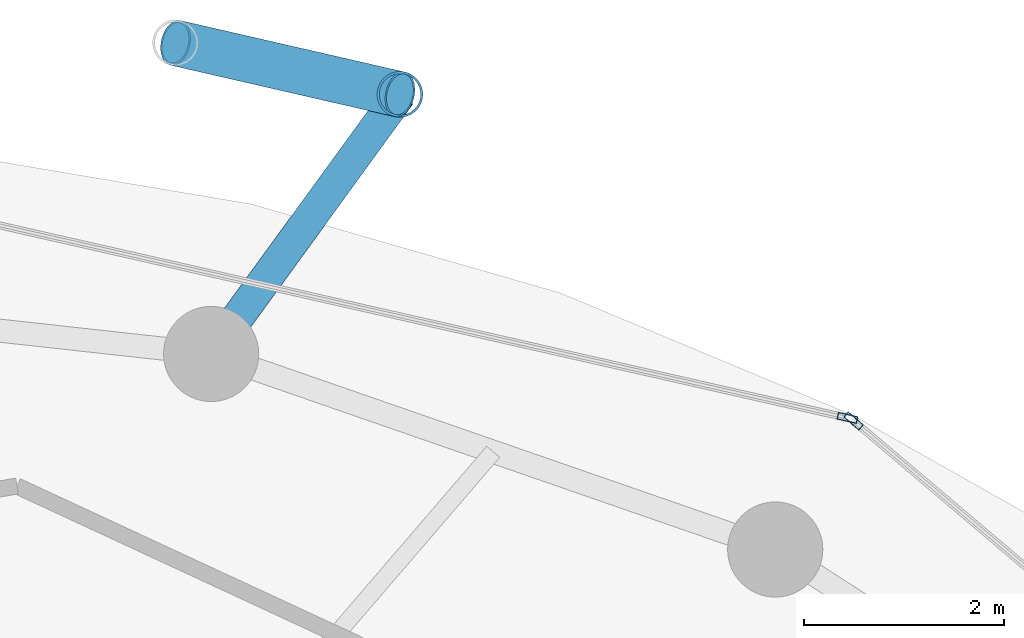
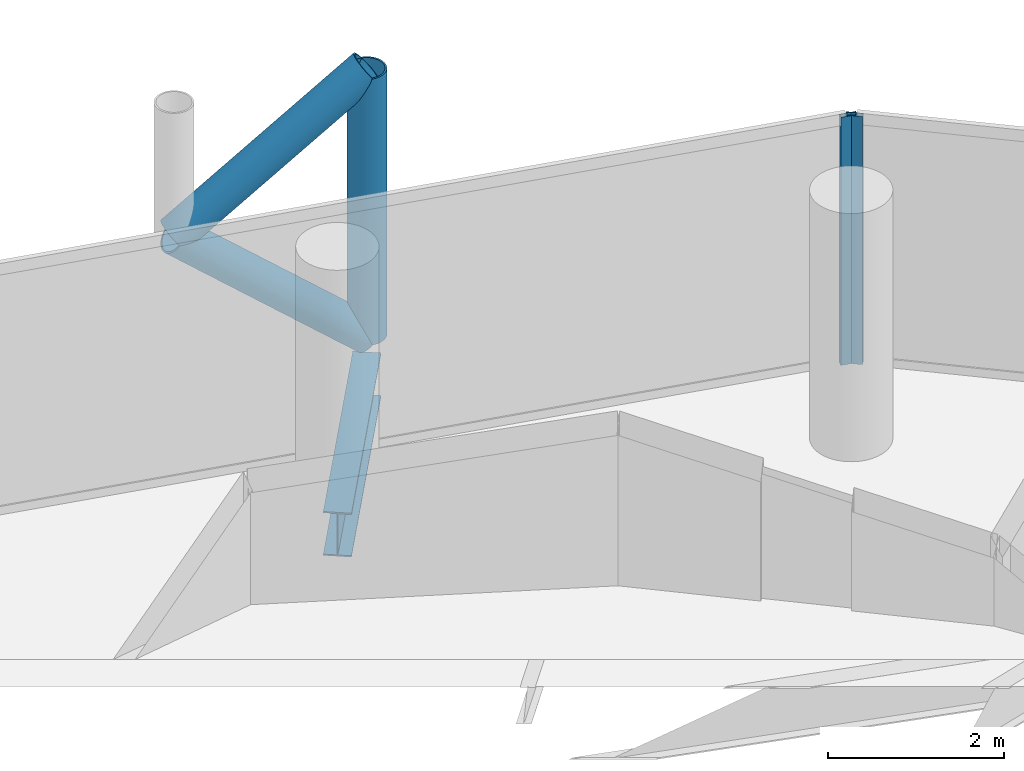
# One storey, part 20 of 26: 5 members, 1 beam, 2 elements without a shape of their own.
"""IFC4 building model written with IfcOpenShell, lengths in metres."""

from ifc_helpers import new_model, si_unit, direction, frame, origin, origin_2d, place, context, subcontext, project, spatial, hollow_rectangle, hollow_circle, i_section, extrude, material, layer, layer_set, material_profile, profile_set, type_object, element, aggregate, save


model = new_model("IFC4")

# Units and contexts
model_context = context("Model", 3, precision=1e-05, world=origin(), true_north=direction((0.0, 1.0)))
body_context = subcontext(model_context, "Body", "Model", "MODEL_VIEW")
ifc_project = project(units=[si_unit("LENGTHUNIT", "METRE"), si_unit("AREAUNIT", "SQUARE_METRE"), si_unit("VOLUMEUNIT", "CUBIC_METRE"), si_unit("PLANEANGLEUNIT", "RADIAN"), si_unit("MASSUNIT", "GRAM", prefix="KILO")], contexts=[model_context])

# Site, building, storey
site_placement = place(None, origin())
site = spatial("IfcSite", under=ifc_project, at=site_placement, CompositionType="ELEMENT")
building_placement = place(site_placement, origin())
building = spatial("IfcBuilding", under=site, at=building_placement, Name="Nuhasar Tower", CompositionType="ELEMENT")
storey_placement = place(building_placement, frame((0.0, 0.0, 181.14990234375)))
storey = spatial("IfcBuildingStorey", under=building, at=storey_placement, Name="L44", CompositionType="ELEMENT", Elevation=181.14990234375)

# Beam
ifc_material_1 = material(Name="Steel S355", Category="steel")
ifc_material_profile_1 = material_profile(ifc_material_1, i_section(OverallWidth=0.323974609375, OverallDepth=0.611083984375, WebThickness=0.0126953125, FlangeThickness=0.01904296875, at=origin_2d()), Name="W24X104")
ifc_profile_set_1 = profile_set([ifc_material_profile_1], Name="Steel S355")
beam_type = type_object("IfcBeamType", Name="BM-TIE-W24X104", PredefinedType="BEAM", material=ifc_profile_set_1)
beam_placement = place(storey_placement, frame((45.04296875, 45.68408203125, -0.554931640625), z_axis=(0.588185286445, 0.808726201387, 0.0), x_axis=(-0.808726201387, 0.588185286445, 0.0)))
element("IfcBeam", 1, at=beam_placement, inside=storey, type_object=beam_type, Name="L44 Exoskeleton Node Tie Beam 03", PredefinedType="BEAM", context=body_context, shape_type="SweptSolid", body=[
    extrude(i_section(OverallWidth=0.323974609375, OverallDepth=0.611083984375, WebThickness=0.0126953125, FlangeThickness=0.01904296875, at=origin_2d()), origin(), (0.0, 0.0, 1.0), 3.204833984375),
])

# Curtain wall, member
ifc_material_2 = material(Name="Aluminium 6063-T6", Category="aluminium")
ifc_layer = layer(ifc_material_2, 0.199951171875)
ifc_layer_set = layer_set([ifc_layer], Name="Aluminium 6063-T6")
curtain_wall_type = type_object("IfcCurtainWallType", Name="CW-Z2-HTL", PredefinedType="NOTDEFINED", material=ifc_layer_set)
curtain_wall_1_placement = place(storey_placement, origin())
curtain_wall_1 = element("IfcCurtainWall", 2, at=curtain_wall_1_placement, inside=storey, type_object=curtain_wall_type, Name="L44 Unitised Curtain Wall 02", PredefinedType="NOTDEFINED")
ifc_material_profile_2 = material_profile(ifc_material_2, hollow_rectangle(XDim=0.070068359375, YDim=0.199951171875, WallThickness=0.0048828125, at=origin_2d()), Name="CWM-3")
ifc_profile_set_2 = profile_set([ifc_material_profile_2], Name="Aluminium 6063-T6")
member_type_1 = type_object("IfcMemberType", Name="CW-MUL-S3", PredefinedType="MULLION", material=ifc_profile_set_2)
member_1_placement = place(storey_placement, frame((51.456787109375, 45.015380859375, 0.0), z_axis=(0.0, 0.0, 1.0), x_axis=(-0.646374438324, -0.763020370292, 0.0)))
member_1 = element("IfcMember", 3, at=member_1_placement, type_object=member_type_1, Name="CW-Z2 mullion 2", PredefinedType="MULLION", context=body_context, shape_type="SweptSolid", body=[
    extrude(hollow_rectangle(XDim=0.070068359375, YDim=0.199951171875, WallThickness=0.0048828125, at=origin_2d()), origin(), (0.0, 0.0, 1.0), 3.4501953125),
])
aggregate(curtain_wall_1, [member_1])

curtain_wall_2_placement = place(storey_placement, origin())
curtain_wall_2 = element("IfcCurtainWall", 4, at=curtain_wall_2_placement, inside=storey, type_object=curtain_wall_type, Name="L44 Unitised Curtain Wall 03", PredefinedType="NOTDEFINED")
member_2_placement = place(storey_placement, frame((51.395751953125, 45.045654296875, 0.0), z_axis=(0.0, 0.0, 1.0), x_axis=(-0.22139729566, -0.975183694221, 0.0)))
member_2 = element("IfcMember", 5, at=member_2_placement, type_object=member_type_1, Name="CW-Z2 mullion 1", PredefinedType="MULLION", context=body_context, shape_type="SweptSolid", body=[
    extrude(hollow_rectangle(XDim=0.070068359375, YDim=0.199951171875, WallThickness=0.0048828125, at=origin_2d()), origin(), (0.0, 0.0, 1.0), 3.4501953125),
])
aggregate(curtain_wall_2, [member_2])

# Members
ifc_material_3 = material(Name="Steel S460", Category="steel")
ifc_material_profile_3 = material_profile(ifc_material_3, hollow_circle(Radius=0.228515625, WallThickness=0.022216796875, at=origin_2d()), Name="HSS457X22.2")
ifc_profile_set_3 = profile_set([ifc_material_profile_3], Name="Steel S460")
member_type_2 = type_object("IfcMemberType", Name="EXO-BRONZE-457", PredefinedType="BRACE", material=ifc_profile_set_3)
member_3_placement = place(storey_placement, frame((46.927978515625, 48.27587890625, 0.0), z_axis=(0.0, 0.0, 1.0), x_axis=(1.0, 0.0, 0.0)))
element("IfcMember", 6, at=member_3_placement, inside=storey, type_object=member_type_2, Name="L44 Exoskeleton Chord Column EC-03A", PredefinedType="BRACE", context=body_context, shape_type="SweptSolid", body=[
    extrude(hollow_circle(Radius=0.228515625, WallThickness=0.022216796875, at=origin_2d()), origin(), (0.0, 0.0, 1.0), 3.7001953125),
])
for number, where, z_axis, x_axis, name in (
    (7, (46.927978515625, 48.27587890625, 0.0), (-0.759499549084, 0.174181209885, 0.626754609927), (-0.223533724104, -0.974696195842, 0.0), "L44 Bronze Diagrid Brace W1-03"),
    (8, (44.68603515625, 48.7900390625, 1.85009765625), (0.759499549084, -0.174181209885, 0.626754609927), (0.223533724104, 0.974696195842, 0.0), "L44 Bronze Diagrid Brace W2-03"),
):
    element("IfcMember", number, at=place(storey_placement, frame(where, z_axis=z_axis, x_axis=x_axis)), inside=storey, type_object=member_type_2, Name=name, PredefinedType="BRACE", context=body_context, shape_type="SweptSolid", body=[
        extrude(hollow_circle(Radius=0.228515625, WallThickness=0.022216796875, at=origin_2d()), origin(), (0.0, 0.0, 1.0), 2.951904296875),
    ])

save(model, "model.ifc")
